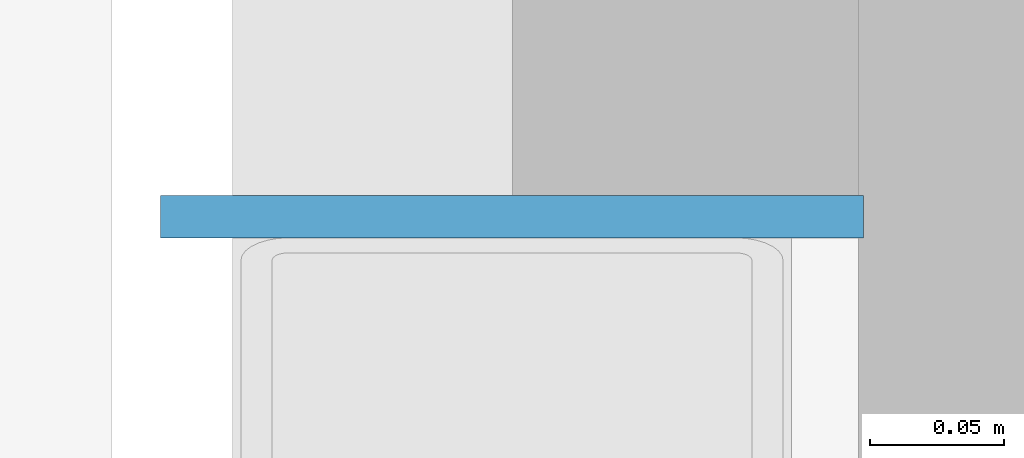
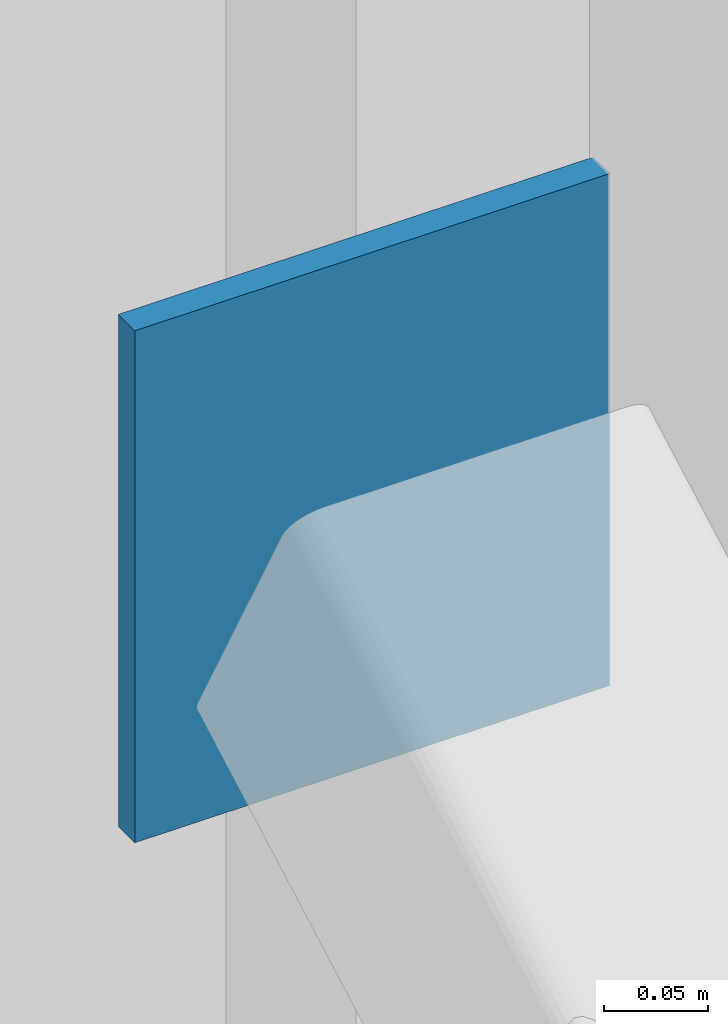
# One storey, part 55 of 127: 1 plate.
"""IFC4 building model written with IfcOpenShell, lengths in metres."""

from ifc_helpers import new_model, si_unit, direction, frame, origin, origin_2d, place, context, subcontext, project, spatial, rectangle, extrude, material, layer, layer_set, type_object, element, save


model = new_model("IFC4")

# Units and contexts
model_context = context("Model", 3, precision=1e-05, world=origin(), true_north=direction((0.0, 1.0)))
body_context = subcontext(model_context, "Body", "Model", "MODEL_VIEW")
ifc_project = project(units=[si_unit("LENGTHUNIT", "METRE"), si_unit("AREAUNIT", "SQUARE_METRE"), si_unit("VOLUMEUNIT", "CUBIC_METRE"), si_unit("PLANEANGLEUNIT", "RADIAN"), si_unit("MASSUNIT", "GRAM", prefix="KILO")], contexts=[model_context])

# Site, building, storey
site_placement = place(None, origin())
site = spatial("IfcSite", under=ifc_project, at=site_placement, CompositionType="ELEMENT")
building_placement = place(site_placement, origin())
building = spatial("IfcBuilding", under=site, at=building_placement, Name="Ljudholm Concert House", CompositionType="ELEMENT")
storey_placement = place(building_placement, origin())
storey = spatial("IfcBuildingStorey", under=building, at=storey_placement, Name="L00", CompositionType="ELEMENT", Elevation=0.0)

# Plate
ifc_material = material(Name="Steel ASTM A36", Category="steel")
ifc_layer = layer(ifc_material, 0.015869140625)
ifc_layer_set = layer_set([ifc_layer], Name="Steel ASTM A36")
plate_type = type_object("IfcPlateType", Name="EMBED PLATE 16x263x300", PredefinedType="SHEET", material=ifc_layer_set)
plate_placement = place(storey_placement, frame((54.39990234375, 126.592041015625, 2.8642578125), z_axis=(0.0, 0.0, 1.0), x_axis=(1.0, 0.0, 0.0)))
element("IfcPlate", 1, at=plate_placement, inside=storey, type_object=plate_type, Name="Brace embed plate", PredefinedType="SHEET", context=body_context, shape_type="SweptSolid", body=[
    extrude(rectangle(XDim=0.26318359375, YDim=0.015869140625, at=origin_2d()), origin(), (0.0, 0.0, 1.0), 0.300048828125),
])

save(model, "model.ifc")
